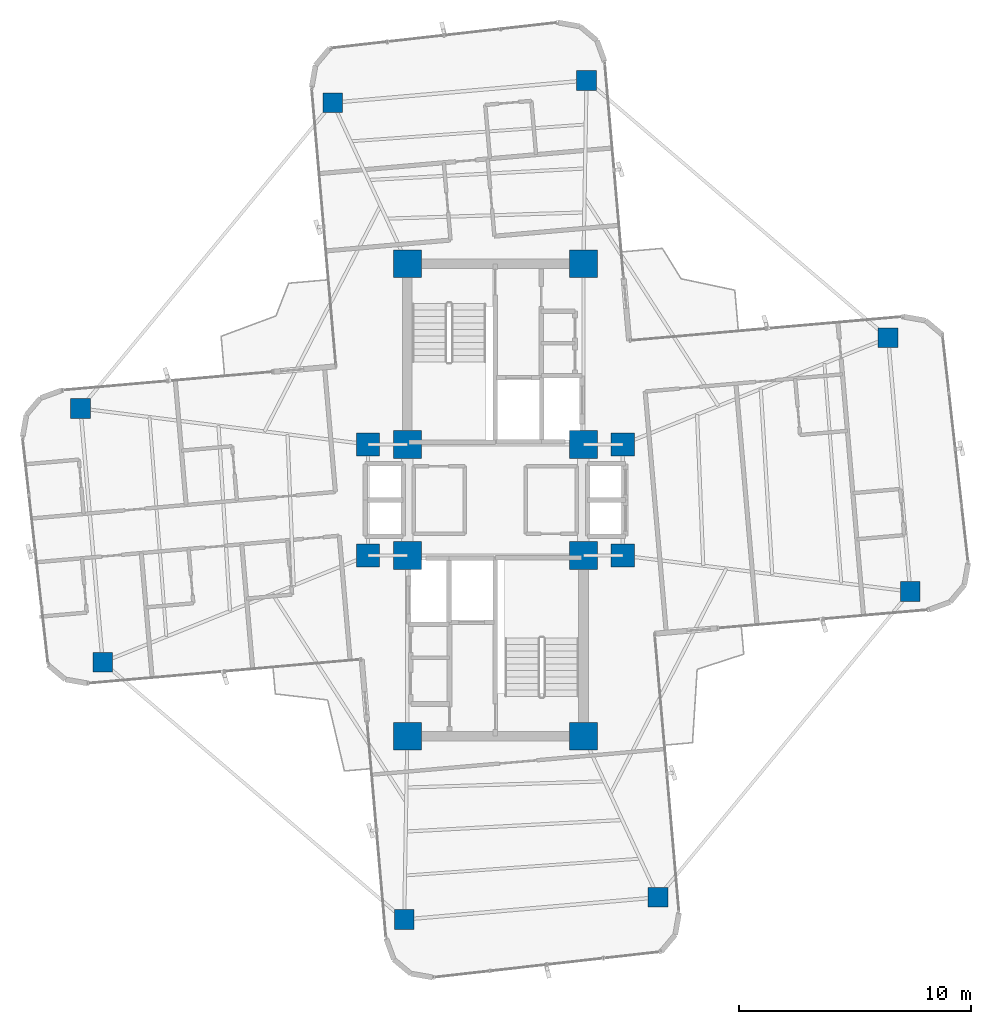
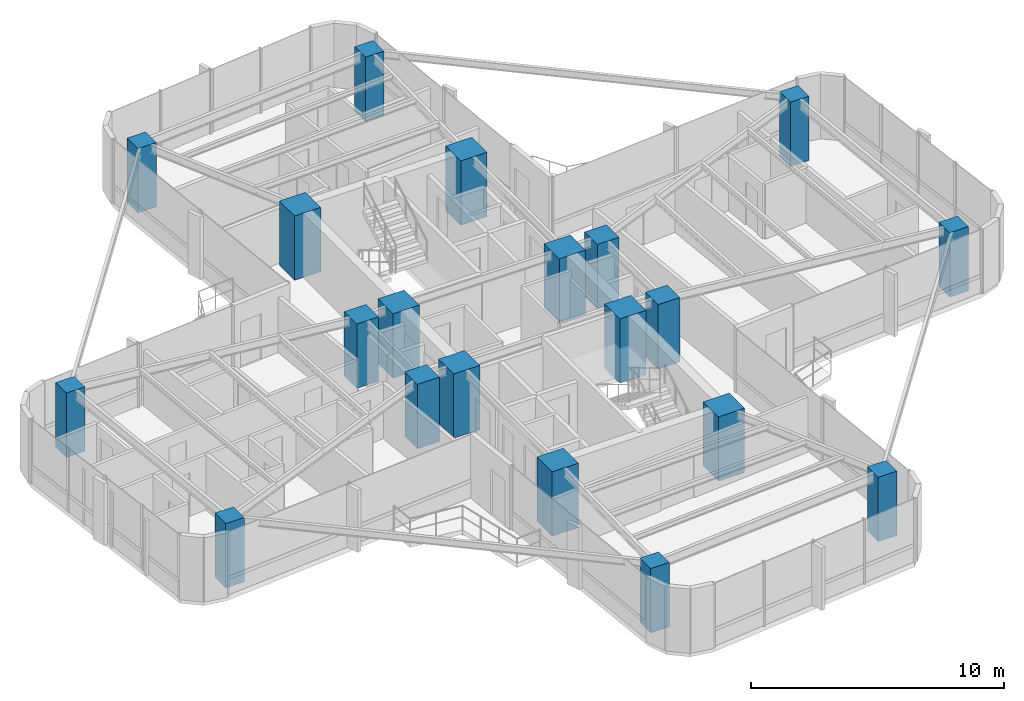
# One storey, part 1 of 24: 20 columns.
"""IFC4 building model written with IfcOpenShell, lengths in metres."""

from ifc_helpers import new_model, si_unit, direction, frame, origin, origin_2d, place, context, subcontext, project, spatial, rectangle, extrude, source, transform, mapped, material, material_profile, profile_set, type_object, element, save


model = new_model("IFC4")

# Units and contexts
model_context = context("Model", 3, precision=1e-05, world=origin(), true_north=direction((0.0, 1.0)))
body_context = subcontext(model_context, "Body", "Model", "MODEL_VIEW")
ifc_project = project(units=[si_unit("LENGTHUNIT", "METRE"), si_unit("AREAUNIT", "SQUARE_METRE"), si_unit("VOLUMEUNIT", "CUBIC_METRE"), si_unit("PLANEANGLEUNIT", "RADIAN"), si_unit("MASSUNIT", "GRAM", prefix="KILO")], contexts=[model_context])

# Site, building, storey
site_placement = place(None, origin())
site = spatial("IfcSite", under=ifc_project, at=site_placement, CompositionType="ELEMENT")
building_placement = place(site_placement, origin())
building = spatial("IfcBuilding", under=site, at=building_placement, Name="Sahyath Konkavel Grand Hotel", CompositionType="ELEMENT")
storey_placement = place(building_placement, frame((0.0, 0.0, 178.550048828125)))
storey = spatial("IfcBuildingStorey", under=building, at=storey_placement, Name="L49", CompositionType="ELEMENT", Elevation=178.550048828125)

# Columns
ifc_material_1 = material(Name="Concrete C50/60", Category="concrete")
ifc_material_profile_1 = material_profile(ifc_material_1, rectangle(XDim=1.199951171875, YDim=1.199951171875, at=origin_2d()), Name="RC 1200x1200")
ifc_profile_set_1 = profile_set([ifc_material_profile_1], Name="Concrete C50/60")
column_type_1 = type_object("IfcColumnType", Name="COL-RC1200", PredefinedType="COLUMN", material=ifc_profile_set_1)
shared_shape_1 = source(origin(), body_context, "Body", "SweptSolid", [
    extrude(rectangle(XDim=1.199951171875, YDim=1.199951171875, at=origin_2d()), origin(), (0.0, 0.0, 1.0), 3.10986328125),
])
for number, where, z_axis, x_axis, name in (
    (1, (-3.800048828125, 2.39990234375, 0.0), (0.0, 0.0, 1.0), (1.0, 0.0, 0.0), "L49 Core Boundary Column NC-SW"),
    (2, (3.800048828125, 2.39990234375, 0.0), (0.0, 0.0, 1.0), (1.0, 0.0, 0.0), "L49 Core Boundary Column NC-SE"),
    (3, (-3.800048828125, 10.199951171875, 0.0), (0.0, 0.0, 1.0), (1.0, 0.0, 0.0), "L49 Core Boundary Column NC-NW"),
    (4, (3.800048828125, 10.199951171875, 0.0), (0.0, 0.0, 1.0), (1.0, 0.0, 0.0), "L49 Core Boundary Column NC-NE"),
    (5, (-3.800048828125, -2.39990234375, 0.0), (0.0, 0.0, 1.0), (1.0, 0.0, 0.0), "L49 Core Boundary Column SC-NW"),
    (6, (3.800048828125, -2.39990234375, 0.0), (0.0, 0.0, 1.0), (1.0, 0.0, 0.0), "L49 Core Boundary Column SC-NE"),
    (7, (-3.800048828125, -10.199951171875, 0.0), (0.0, 0.0, 1.0), (1.0, 0.0, 0.0), "L49 Core Boundary Column SC-SW"),
    (8, (3.800048828125, -10.199951171875, 0.0), (0.0, 0.0, 1.0), (1.0, 0.0, 0.0), "L49 Core Boundary Column SC-SE"),
):
    element("IfcColumn", number, at=place(storey_placement, frame(where, z_axis=z_axis, x_axis=x_axis)), inside=storey, type_object=column_type_1, Name=name, PredefinedType="COLUMN", context=body_context, shape_type="MappedRepresentation", body=[
        mapped(shared_shape_1, transform((0.0, 0.0, 0.0), scale=1.0)),
    ])
ifc_material_profile_2 = material_profile(ifc_material_1, rectangle(XDim=1.0, YDim=1.0, at=origin_2d()), Name="RC 1000x1000")
ifc_profile_set_2 = profile_set([ifc_material_profile_2], Name="Concrete C50/60")
column_type_2 = type_object("IfcColumnType", Name="COL-RC1000", PredefinedType="COLUMN", material=ifc_profile_set_2)
shared_shape_2 = source(origin(), body_context, "Body", "SweptSolid", [
    extrude(rectangle(XDim=1.0, YDim=1.0, at=origin_2d()), origin(), (0.0, 0.0, 1.0), 3.10986328125),
])
for number, where, z_axis, x_axis, name in (
    (9, (5.5, 2.39990234375, 0.0), (0.0, 0.0, 1.0), (1.0, 0.0, 0.0), "L49 Central Spine Column HB-NE"),
    (10, (-5.5, 2.39990234375, 0.0), (0.0, 0.0, 1.0), (1.0, 0.0, 0.0), "L49 Central Spine Column HB-NW"),
    (11, (5.5, -2.39990234375, 0.0), (0.0, 0.0, 1.0), (1.0, 0.0, 0.0), "L49 Central Spine Column HB-SE"),
    (12, (-5.5, -2.39990234375, 0.0), (0.0, 0.0, 1.0), (1.0, 0.0, 0.0), "L49 Central Spine Column HB-SW"),
):
    element("IfcColumn", number, at=place(storey_placement, frame(where, z_axis=z_axis, x_axis=x_axis)), inside=storey, type_object=column_type_2, Name=name, PredefinedType="COLUMN", context=body_context, shape_type="MappedRepresentation", body=[
        mapped(shared_shape_2, transform((0.0, 0.0, 0.0), scale=1.0)),
    ])
ifc_material_2 = material(Name="Concrete C40/50", Category="concrete")
ifc_material_profile_3 = material_profile(ifc_material_2, rectangle(XDim=0.85009765625, YDim=0.85009765625, at=origin_2d()), Name="RC 850x850")
ifc_profile_set_3 = profile_set([ifc_material_profile_3], Name="Concrete C40/50")
column_type_3 = type_object("IfcColumnType", Name="COL-RC850", PredefinedType="COLUMN", material=ifc_profile_set_3)
shared_shape_3 = source(origin(), body_context, "Body", "SweptSolid", [
    extrude(rectangle(XDim=0.85009765625, YDim=0.85009765625, at=origin_2d()), origin(), (0.0, 0.0, 1.0), 3.10986328125),
])
for number, where, z_axis, x_axis, name in (
    (13, (17.912841796875, -3.953857421875, 0.0), (0.0, 0.0, 1.0), (1.0, 0.0, 0.0), "L49 Cruciform Wing Column WC-EA"),
    (14, (16.9541015625, 7.00439453125, 0.0), (0.0, 0.0, 1.0), (1.0, 0.0, 0.0), "L49 Cruciform Wing Column WC-EB"),
    (15, (3.936279296875, 18.112060546875, 0.0), (0.0, 0.0, 1.0), (1.0, 0.0, 0.0), "L49 Cruciform Wing Column WC-NA"),
    (16, (-7.021728515625, 17.1533203125, 0.0), (0.0, 0.0, 1.0), (1.0, 0.0, 0.0), "L49 Cruciform Wing Column WC-NB"),
    (17, (-17.912841796875, 3.953857421875, 0.0), (0.0, 0.0, 1.0), (1.0, 0.0, 0.0), "L49 Cruciform Wing Column WC-WA"),
    (18, (-16.9541015625, -7.00439453125, 0.0), (0.0, 0.0, 1.0), (1.0, 0.0, 0.0), "L49 Cruciform Wing Column WC-WB"),
    (19, (-3.936279296875, -18.112060546875, 0.0), (0.0, 0.0, 1.0), (1.0, 0.0, 0.0), "L49 Cruciform Wing Column WC-SA"),
    (20, (7.021728515625, -17.1533203125, 0.0), (0.0, 0.0, 1.0), (1.0, 0.0, 0.0), "L49 Cruciform Wing Column WC-SB"),
):
    element("IfcColumn", number, at=place(storey_placement, frame(where, z_axis=z_axis, x_axis=x_axis)), inside=storey, type_object=column_type_3, Name=name, PredefinedType="COLUMN", context=body_context, shape_type="MappedRepresentation", body=[
        mapped(shared_shape_3, transform((0.0, 0.0, 0.0), scale=1.0)),
    ])

save(model, "model.ifc")
